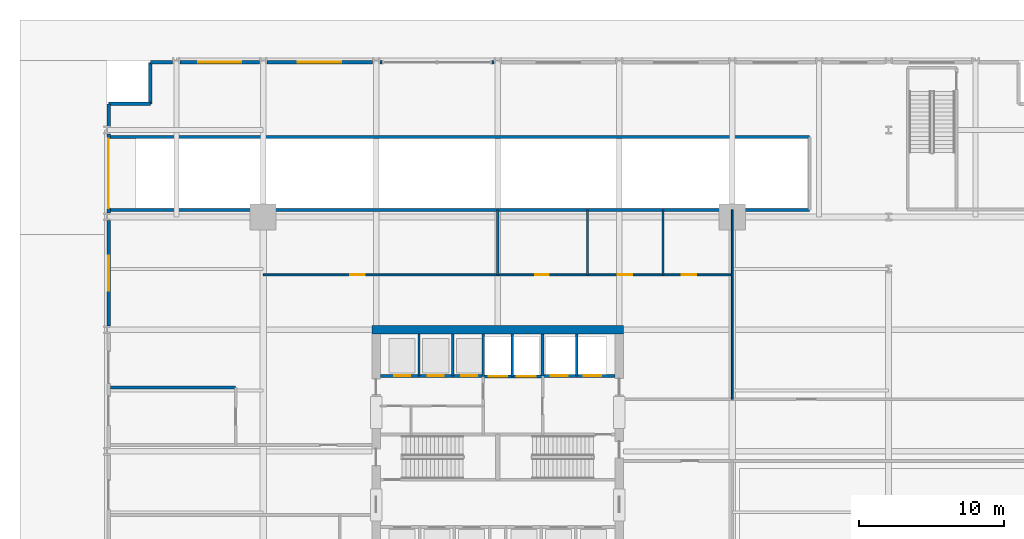
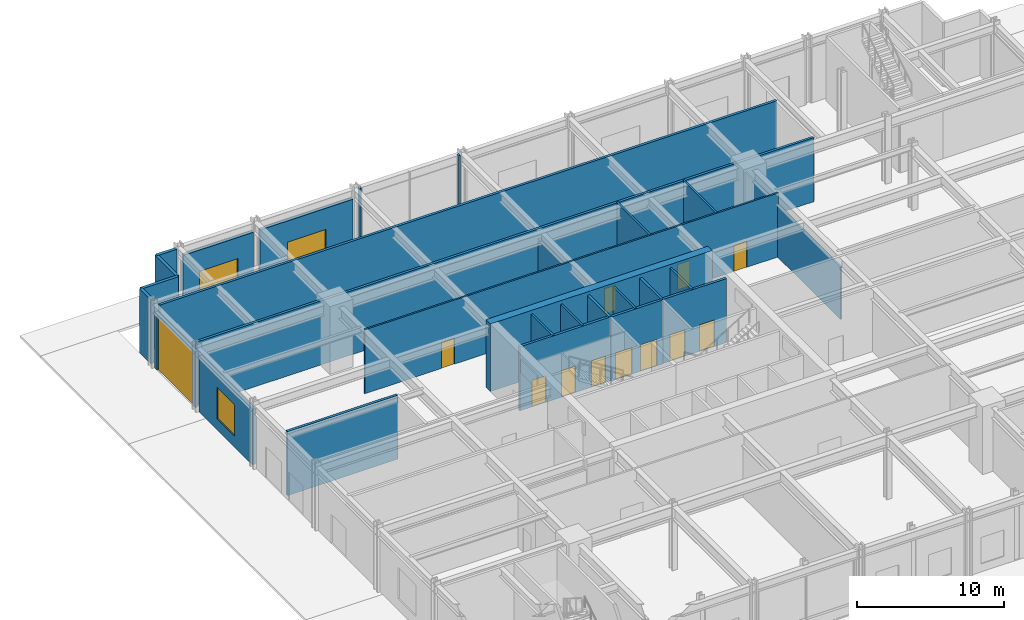
# One storey, part 13 of 21: 28 walls, 12 doors, 3 windows, 15 openings.
"""IFC4 building model written with IfcOpenShell, lengths in metres."""

from ifc_helpers import new_model, si_unit, direction, frame, frame_2d, origin, place, context, subcontext, project, spatial, rectangle, extrude, material, layer, layer_set, type_object, element, fill, save


model = new_model("IFC4")

# Units and contexts
model_context = context("Model", 3, precision=1e-05, world=origin(), true_north=direction((0.0, 1.0)))
body_context = subcontext(model_context, "Body", "Model", "MODEL_VIEW")
ifc_project = project(units=[si_unit("LENGTHUNIT", "METRE"), si_unit("AREAUNIT", "SQUARE_METRE"), si_unit("VOLUMEUNIT", "CUBIC_METRE"), si_unit("PLANEANGLEUNIT", "RADIAN"), si_unit("MASSUNIT", "GRAM", prefix="KILO")], contexts=[model_context])

# Site, building, storey
site_placement = place(None, origin())
site = spatial("IfcSite", under=ifc_project, at=site_placement, CompositionType="ELEMENT")
building_placement = place(site_placement, origin())
building = spatial("IfcBuilding", under=site, at=building_placement, Name="Drelvath Grand Hotel", CompositionType="ELEMENT")
storey_placement = place(building_placement, origin())
storey = spatial("IfcBuildingStorey", under=building, at=storey_placement, Name="L00", CompositionType="ELEMENT", Elevation=0.0)

# Wall, openings, doors
ifc_material_1 = material(Name="Concrete C40/50", Category="concrete")
ifc_layer_1 = layer(ifc_material_1, 0.199951171875)
ifc_layer_set_1 = layer_set([ifc_layer_1], Name="Concrete C40/50")
wall_type_1 = type_object("IfcWallType", Name="Core Hoistway Fire Wall 200", PredefinedType="SOLIDWALL", material=ifc_layer_set_1)
wall_1_placement = place(storey_placement, frame((3.10009765625, 32.219970703125, 0.0), z_axis=(0.0, 0.0, 1.0), x_axis=(1.0, 0.0, 0.0)))
wall_1 = element("IfcWall", 1, at=wall_1_placement, inside=storey, type_object=wall_type_1, Name="L00 FSAE Hoistway Front Wall", PredefinedType="SOLIDWALL", context=body_context, shape_type="SweptSolid", body=[
    extrude(rectangle(XDim=5.0, YDim=0.199951171875, at=frame_2d((2.5, 0.0))), origin(), (0.0, 0.0, 1.0), 5.300048828125),
])
opening_1_placement = place(wall_1_placement, frame((0.550048828125, 0.0, 0.0)))
opening_1 = element("IfcOpeningElement", 2, at=opening_1_placement, cuts=wall_1, Name="Opening LD-FSAE-1", PredefinedType="OPENING", context=body_context, shape_type="SweptSolid", body=[
    extrude(rectangle(XDim=1.199951171875, YDim=2.199951171875, at=frame_2d((0.60009765625, 1.10009765625))), frame((0.0, 0.10986328125, 0.0), z_axis=(0.0, -1.0, 0.0), x_axis=(1.0, 0.0, 0.0)), (0.0, 0.0, 1.0), 0.219970703125),
])
opening_2_placement = place(wall_1_placement, frame((2.85009765625, 0.0, 0.0)))
opening_2 = element("IfcOpeningElement", 3, at=opening_2_placement, cuts=wall_1, Name="Opening LD-FSAE-2", PredefinedType="OPENING", context=body_context, shape_type="SweptSolid", body=[
    extrude(rectangle(XDim=1.199951171875, YDim=2.199951171875, at=frame_2d((0.60009765625, 1.10009765625))), frame((0.0, 0.10986328125, 0.0), z_axis=(0.0, -1.0, 0.0), x_axis=(1.0, 0.0, 0.0)), (0.0, 0.0, 1.0), 0.219970703125),
])
ifc_material_2 = material(Name="Stainless Steel S355", Category="steel")
door_type_1 = type_object("IfcDoorType", Name="FSAE Lift Sliding Landing Door 1200x2200", OperationType="NOTDEFINED", PredefinedType="DOOR", material=ifc_material_2)
door_1_placement = place(opening_1_placement, origin())
door_1 = element("IfcDoor", 4, at=door_1_placement, inside=storey, type_object=door_type_1, Name="L00 Lift FSAE-1 Landing Door", OperationType="SLIDING_TO_LEFT", OverallHeight=2.199951171875, OverallWidth=1.199951171875, PredefinedType="DOOR", context=body_context, shape_type="SweptSolid", body=[
    extrude(rectangle(XDim=1.199951171875, YDim=2.199951171875, at=frame_2d((0.60009765625, 1.10009765625))), frame((0.0, 0.02490234375, 0.0), z_axis=(0.0, -1.0, 0.0), x_axis=(1.0, 0.0, 0.0)), (0.0, 0.0, 1.0), 0.050048828125),
])
fill(opening_1, door_1)
door_2_placement = place(opening_2_placement, origin())
door_2 = element("IfcDoor", 5, at=door_2_placement, inside=storey, type_object=door_type_1, Name="L00 Lift FSAE-2 Landing Door", OperationType="SLIDING_TO_LEFT", OverallHeight=2.199951171875, OverallWidth=1.199951171875, PredefinedType="DOOR", context=body_context, shape_type="SweptSolid", body=[
    extrude(rectangle(XDim=1.199951171875, YDim=2.199951171875, at=frame_2d((0.60009765625, 1.10009765625))), frame((0.0, 0.02490234375, 0.0), z_axis=(0.0, -1.0, 0.0), x_axis=(1.0, 0.0, 0.0)), (0.0, 0.0, 1.0), 0.050048828125),
])
fill(opening_2, door_2)

# Wall
wall_2_placement = place(storey_placement, frame((3.10009765625, 32.219970703125, 0.0), z_axis=(0.0, 0.0, 1.0), x_axis=(0.0, 1.0, 0.0)))
element("IfcWall", 6, at=wall_2_placement, inside=storey, type_object=wall_type_1, Name="L00 FSAE Hoistway West Wall", PredefinedType="SOLIDWALL", context=body_context, shape_type="SweptSolid", body=[
    extrude(rectangle(XDim=2.880126953125, YDim=0.199951171875, at=frame_2d((1.43994140625, 0.0))), origin(), (0.0, 0.0, 1.0), 5.300048828125),
])

# Wall, openings, doors
wall_3_placement = place(storey_placement, frame((-1.0, 32.179931640625, 0.0), z_axis=(0.0, 0.0, 1.0), x_axis=(1.0, 0.0, 0.0)))
wall_3 = element("IfcWall", 7, at=wall_3_placement, inside=storey, type_object=wall_type_1, Name="L00 Service Lift Hoistway Wall", PredefinedType="SOLIDWALL", context=body_context, shape_type="SweptSolid", body=[
    extrude(rectangle(XDim=4.10009765625, YDim=0.199951171875, at=frame_2d((2.050048828125, 0.0))), origin(), (0.0, 0.0, 1.0), 5.300048828125),
])
opening_3_placement = place(wall_3_placement, frame((0.3701171875, 0.0, 0.0)))
opening_3 = element("IfcOpeningElement", 8, at=opening_3_placement, cuts=wall_3, Name="Opening LD-SV-2", PredefinedType="OPENING", context=body_context, shape_type="SweptSolid", body=[
    extrude(rectangle(XDim=1.300048828125, YDim=2.199951171875, at=frame_2d((0.64990234375, 1.10009765625))), frame((0.0, 0.10986328125, 0.0), z_axis=(0.0, -1.0, 0.0), x_axis=(1.0, 0.0, 0.0)), (0.0, 0.0, 1.0), 0.219970703125),
])
opening_4_placement = place(wall_3_placement, frame((2.330078125, 0.0, 0.0)))
opening_4 = element("IfcOpeningElement", 9, at=opening_4_placement, cuts=wall_3, Name="Opening LD-SV-1", PredefinedType="OPENING", context=body_context, shape_type="SweptSolid", body=[
    extrude(rectangle(XDim=1.300048828125, YDim=2.199951171875, at=frame_2d((0.64990234375, 1.10009765625))), frame((0.0, 0.10986328125, 0.0), z_axis=(0.0, -1.0, 0.0), x_axis=(1.0, 0.0, 0.0)), (0.0, 0.0, 1.0), 0.219970703125),
])
door_type_2 = type_object("IfcDoorType", Name="Service Lift Sliding Landing Door 1300x2200", OperationType="NOTDEFINED", PredefinedType="DOOR", material=ifc_material_2)
door_3_placement = place(opening_3_placement, origin())
door_3 = element("IfcDoor", 10, at=door_3_placement, inside=storey, type_object=door_type_2, Name="L00 Lift SV-2 Landing Door", OperationType="SLIDING_TO_LEFT", OverallHeight=2.199951171875, OverallWidth=1.300048828125, PredefinedType="DOOR", context=body_context, shape_type="SweptSolid", body=[
    extrude(rectangle(XDim=1.300048828125, YDim=2.199951171875, at=frame_2d((0.64990234375, 1.10009765625))), frame((0.0, 0.02490234375, 0.0), z_axis=(0.0, -1.0, 0.0), x_axis=(1.0, 0.0, 0.0)), (0.0, 0.0, 1.0), 0.050048828125),
])
fill(opening_3, door_3)
door_4_placement = place(opening_4_placement, origin())
door_4 = element("IfcDoor", 11, at=door_4_placement, inside=storey, type_object=door_type_2, Name="L00 Lift SV-1 Landing Door", OperationType="SLIDING_TO_LEFT", OverallHeight=2.199951171875, OverallWidth=1.300048828125, PredefinedType="DOOR", context=body_context, shape_type="SweptSolid", body=[
    extrude(rectangle(XDim=1.300048828125, YDim=2.199951171875, at=frame_2d((0.64990234375, 1.10009765625))), frame((0.0, 0.02490234375, 0.0), z_axis=(0.0, -1.0, 0.0), x_axis=(1.0, 0.0, 0.0)), (0.0, 0.0, 1.0), 0.050048828125),
])
fill(opening_4, door_4)

# Wall
wall_4_placement = place(storey_placement, frame((-1.0, 32.179931640625, 0.0), z_axis=(0.0, 0.0, 1.0), x_axis=(0.0, 1.0, 0.0)))
element("IfcWall", 12, at=wall_4_placement, inside=storey, type_object=wall_type_1, Name="L00 Service Lift West Wall", PredefinedType="SOLIDWALL", context=body_context, shape_type="SweptSolid", body=[
    extrude(rectangle(XDim=2.920166015625, YDim=0.199951171875, at=frame_2d((1.4599609375, 0.0))), origin(), (0.0, 0.0, 1.0), 5.300048828125),
])

# Wall, openings, doors
wall_5_placement = place(storey_placement, frame((-8.10009765625, 32.219970703125, 0.0), z_axis=(0.0, 0.0, 1.0), x_axis=(1.0, 0.0, 0.0)))
wall_5 = element("IfcWall", 13, at=wall_5_placement, inside=storey, type_object=wall_type_1, Name="L00 Bank 3 Hoistway Wall", PredefinedType="SOLIDWALL", context=body_context, shape_type="SweptSolid", body=[
    extrude(rectangle(XDim=7.10009765625, YDim=0.199951171875, at=frame_2d((3.550048828125, 0.0))), origin(), (0.0, 0.0, 1.0), 5.300048828125),
])
opening_5_placement = place(wall_5_placement, frame((0.949951171875, 0.0, 0.0)))
opening_5 = element("IfcOpeningElement", 14, at=opening_5_placement, cuts=wall_5, Name="Opening LD-PE-7", PredefinedType="OPENING", context=body_context, shape_type="SweptSolid", body=[
    extrude(rectangle(XDim=1.10009765625, YDim=2.199951171875, at=frame_2d((0.550048828125, 1.10009765625))), frame((0.0, 0.10986328125, 0.0), z_axis=(0.0, -1.0, 0.0), x_axis=(1.0, 0.0, 0.0)), (0.0, 0.0, 1.0), 0.219970703125),
])
opening_6_placement = place(wall_5_placement, frame((3.27001953125, 0.0, 0.0)))
opening_6 = element("IfcOpeningElement", 15, at=opening_6_placement, cuts=wall_5, Name="Opening LD-PE-8", PredefinedType="OPENING", context=body_context, shape_type="SweptSolid", body=[
    extrude(rectangle(XDim=1.10009765625, YDim=2.199951171875, at=frame_2d((0.550048828125, 1.10009765625))), frame((0.0, 0.10986328125, 0.0), z_axis=(0.0, -1.0, 0.0), x_axis=(1.0, 0.0, 0.0)), (0.0, 0.0, 1.0), 0.219970703125),
])
opening_7_placement = place(wall_5_placement, frame((5.590087890625, 0.0, 0.0)))
opening_7 = element("IfcOpeningElement", 16, at=opening_7_placement, cuts=wall_5, Name="Opening LD-PE-9", PredefinedType="OPENING", context=body_context, shape_type="SweptSolid", body=[
    extrude(rectangle(XDim=1.10009765625, YDim=2.199951171875, at=frame_2d((0.550048828125, 1.10009765625))), frame((0.0, 0.10986328125, 0.0), z_axis=(0.0, -1.0, 0.0), x_axis=(1.0, 0.0, 0.0)), (0.0, 0.0, 1.0), 0.219970703125),
])
door_type_3 = type_object("IfcDoorType", Name="Passenger Lift Sliding Landing Door 1100x2200", OperationType="NOTDEFINED", PredefinedType="DOOR", material=ifc_material_2)
door_5_placement = place(opening_5_placement, origin())
door_5 = element("IfcDoor", 17, at=door_5_placement, inside=storey, type_object=door_type_3, Name="L00 Lift PE-7 Landing Door", OperationType="SLIDING_TO_LEFT", OverallHeight=2.199951171875, OverallWidth=1.10009765625, PredefinedType="DOOR", context=body_context, shape_type="SweptSolid", body=[
    extrude(rectangle(XDim=1.10009765625, YDim=2.199951171875, at=frame_2d((0.550048828125, 1.10009765625))), frame((0.0, 0.02490234375, 0.0), z_axis=(0.0, -1.0, 0.0), x_axis=(1.0, 0.0, 0.0)), (0.0, 0.0, 1.0), 0.050048828125),
])
fill(opening_5, door_5)
door_6_placement = place(opening_6_placement, origin())
door_6 = element("IfcDoor", 18, at=door_6_placement, inside=storey, type_object=door_type_3, Name="L00 Lift PE-8 Landing Door", OperationType="SLIDING_TO_LEFT", OverallHeight=2.199951171875, OverallWidth=1.10009765625, PredefinedType="DOOR", context=body_context, shape_type="SweptSolid", body=[
    extrude(rectangle(XDim=1.10009765625, YDim=2.199951171875, at=frame_2d((0.550048828125, 1.10009765625))), frame((0.0, 0.02490234375, 0.0), z_axis=(0.0, -1.0, 0.0), x_axis=(1.0, 0.0, 0.0)), (0.0, 0.0, 1.0), 0.050048828125),
])
fill(opening_6, door_6)
door_7_placement = place(opening_7_placement, origin())
door_7 = element("IfcDoor", 19, at=door_7_placement, inside=storey, type_object=door_type_3, Name="L00 Lift PE-9 Landing Door", OperationType="SLIDING_TO_LEFT", OverallHeight=2.199951171875, OverallWidth=1.10009765625, PredefinedType="DOOR", context=body_context, shape_type="SweptSolid", body=[
    extrude(rectangle(XDim=1.10009765625, YDim=2.199951171875, at=frame_2d((0.550048828125, 1.10009765625))), frame((0.0, 0.02490234375, 0.0), z_axis=(0.0, -1.0, 0.0), x_axis=(1.0, 0.0, 0.0)), (0.0, 0.0, 1.0), 0.050048828125),
])
fill(opening_7, door_7)

# Walls
ifc_layer_2 = layer(ifc_material_1, 0.199951171875)
ifc_layer_set_2 = layer_set([ifc_layer_2], Name="Concrete C40/50")
wall_type_2 = type_object("IfcWallType", Name="Core Shaft Fire Wall 200", PredefinedType="SOLIDWALL", material=ifc_layer_set_2)
for number, where, z_axis, x_axis, name in (
    (20, (-26.760009765625, 43.679931640625, 0.0), (0.0, 0.0, 1.0), (1.0, 0.0, 0.0), "L00 L00 Ramp R1 South Fire Wall"),
    (21, (-26.760009765625, 48.719970703125, 0.0), (0.0, 0.0, 1.0), (1.0, 0.0, 0.0), "L00 L00 Ramp R1 North Fire Wall"),
):
    element("IfcWall", number, at=place(storey_placement, frame(where, z_axis=z_axis, x_axis=x_axis)), inside=storey, type_object=wall_type_2, Name=name, PredefinedType="SOLIDWALL", context=body_context, shape_type="SweptSolid", body=[
        extrude(rectangle(XDim=48.31005859375, YDim=0.199951171875, at=frame_2d((24.155029296875, 0.0))), origin(), (0.0, 0.0, 1.0), 5.300048828125),
    ])
wall_6_placement = place(storey_placement, frame((-26.760009765625, 31.419921875, 0.0), z_axis=(0.0, 0.0, 1.0), x_axis=(1.0, 0.0, 0.0)))
element("IfcWall", 22, at=wall_6_placement, inside=storey, type_object=wall_type_2, Name="L00 Fire Command Center North Wall", PredefinedType="SOLIDWALL", context=body_context, shape_type="SweptSolid", body=[
    extrude(rectangle(XDim=8.659912109375, YDim=0.199951171875, at=frame_2d((4.330078125, 0.0))), origin(), (0.0, 0.0, 1.0), 5.300048828125),
])
ifc_material_3 = material(Name="Gypsum Fireboard Partition")
ifc_layer_3 = layer(ifc_material_3, 0.1650390625)
ifc_layer_set_3 = layer_set([ifc_layer_3], Name="Gypsum Fireboard Partition")
wall_type_3 = type_object("IfcWallType", Name="Core Shaft Partition 165", PredefinedType="PARTITIONING", material=ifc_layer_set_3)
wall_7_placement = place(storey_placement, frame((5.449951171875, 32.219970703125, 0.0), z_axis=(0.0, 0.0, 1.0), x_axis=(0.0, 1.0, 0.0)))
element("IfcWall", 23, at=wall_7_placement, inside=storey, type_object=wall_type_3, Name="L00 FSAE Hoistway Divider", PredefinedType="PARTITIONING", context=body_context, shape_type="SweptSolid", body=[
    extrude(rectangle(XDim=2.880126953125, YDim=0.1650390625, at=frame_2d((1.43994140625, 0.0))), origin(), (0.0, 0.0, 1.0), 5.300048828125),
])
wall_8_placement = place(storey_placement, frame((1.0, 32.179931640625, 0.0), z_axis=(0.0, 0.0, 1.0), x_axis=(0.0, 1.0, 0.0)))
element("IfcWall", 24, at=wall_8_placement, inside=storey, type_object=wall_type_3, Name="L00 Service Lift Divider", PredefinedType="PARTITIONING", context=body_context, shape_type="SweptSolid", body=[
    extrude(rectangle(XDim=2.920166015625, YDim=0.1650390625, at=frame_2d((1.4599609375, 0.0))), origin(), (0.0, 0.0, 1.0), 5.300048828125),
])
for number, where, z_axis, x_axis, name in (
    (25, (-5.43994140625, 32.219970703125, 0.0), (0.0, 0.0, 1.0), (0.0, 1.0, 0.0), "L00 Lift PE-7/8 Divider"),
    (26, (-3.1201171875, 32.219970703125, 0.0), (0.0, 0.0, 1.0), (0.0, 1.0, 0.0), "L00 Lift PE-8/9 Divider"),
):
    element("IfcWall", number, at=place(storey_placement, frame(where, z_axis=z_axis, x_axis=x_axis)), inside=storey, type_object=wall_type_3, Name=name, PredefinedType="PARTITIONING", context=body_context, shape_type="SweptSolid", body=[
        extrude(rectangle(XDim=2.880126953125, YDim=0.1650390625, at=frame_2d((1.43994140625, 0.0))), origin(), (0.0, 0.0, 1.0), 5.300048828125),
    ])

# Wall, openings, doors
ifc_layer_4 = layer(ifc_material_3, 0.135009765625)
ifc_layer_set_4 = layer_set([ifc_layer_4], Name="Gypsum Fireboard Partition")
wall_type_4 = type_object("IfcWallType", Name="Corridor Fire Barrier Wall 135", PredefinedType="PARTITIONING", material=ifc_layer_set_4)
wall_9_placement = place(storey_placement, frame((-16.199951171875, 39.199951171875, 0.0), z_axis=(0.0, 0.0, 1.0), x_axis=(1.0, 0.0, 0.0)))
wall_9 = element("IfcWall", 27, at=wall_9_placement, inside=storey, type_object=wall_type_4, Name="L00 North Galleria Corridor Wall", PredefinedType="PARTITIONING", context=body_context, shape_type="SweptSolid", body=[
    extrude(rectangle(XDim=32.39990234375, YDim=0.135009765625, at=frame_2d((16.199951171875, 0.0))), origin(), (0.0, 0.0, 1.0), 5.300048828125),
])
opening_8_placement = place(wall_9_placement, frame((6.0, 0.0, 0.0)))
opening_8 = element("IfcOpeningElement", 28, at=opening_8_placement, cuts=wall_9, Name="Opening D-L00-038", PredefinedType="OPENING", context=body_context, shape_type="SweptSolid", body=[
    extrude(rectangle(XDim=1.02001953125, YDim=2.14990234375, at=frame_2d((0.510009765625, 1.074951171875))), frame((0.0, 0.077392578125, 0.0), z_axis=(0.0, -1.0, 0.0), x_axis=(1.0, 0.0, 0.0)), (0.0, 0.0, 1.0), 0.155029296875),
])
opening_9_placement = place(wall_9_placement, frame((18.800048828125, 0.0, 0.0)))
opening_9 = element("IfcOpeningElement", 29, at=opening_9_placement, cuts=wall_9, Name="Opening D-L00-039", PredefinedType="OPENING", context=body_context, shape_type="SweptSolid", body=[
    extrude(rectangle(XDim=0.919921875, YDim=2.10009765625, at=frame_2d((0.4599609375, 1.050048828125))), frame((0.0, 0.077392578125, 0.0), z_axis=(0.0, -1.0, 0.0), x_axis=(1.0, 0.0, 0.0)), (0.0, 0.0, 1.0), 0.155029296875),
])
opening_10_placement = place(wall_9_placement, frame((24.5, 0.0, 0.0)))
opening_10 = element("IfcOpeningElement", 30, at=opening_10_placement, cuts=wall_9, Name="Opening D-L00-040", PredefinedType="OPENING", context=body_context, shape_type="SweptSolid", body=[
    extrude(rectangle(XDim=0.97998046875, YDim=2.10009765625, at=frame_2d((0.489990234375, 1.050048828125))), frame((0.0, 0.077392578125, 0.0), z_axis=(0.0, -1.0, 0.0), x_axis=(1.0, 0.0, 0.0)), (0.0, 0.0, 1.0), 0.155029296875),
])
opening_11_placement = place(wall_9_placement, frame((28.89990234375, 0.0, 0.0)))
opening_11 = element("IfcOpeningElement", 31, at=opening_11_placement, cuts=wall_9, Name="Opening D-L00-041", PredefinedType="OPENING", context=body_context, shape_type="SweptSolid", body=[
    extrude(rectangle(XDim=1.02001953125, YDim=2.14990234375, at=frame_2d((0.510009765625, 1.074951171875))), frame((0.0, 0.077392578125, 0.0), z_axis=(0.0, -1.0, 0.0), x_axis=(1.0, 0.0, 0.0)), (0.0, 0.0, 1.0), 0.155029296875),
])
ifc_material_4 = material(Name="Hardwood Walnut Timber", Category="wood")
door_type_4 = type_object("IfcDoorType", Name="Accessible WC Door 980x2100", OperationType="NOTDEFINED", PredefinedType="DOOR", material=ifc_material_4)
door_8_placement = place(opening_10_placement, origin())
door_8 = element("IfcDoor", 32, at=door_8_placement, inside=storey, type_object=door_type_4, Name="L00 L00 Accessible WC Door", OperationType="SINGLE_SWING_LEFT", OverallHeight=2.10009765625, OverallWidth=0.97998046875, PredefinedType="DOOR", context=body_context, shape_type="SweptSolid", body=[
    extrude(rectangle(XDim=0.97998046875, YDim=2.10009765625, at=frame_2d((0.489990234375, 1.050048828125))), frame((0.0, 0.02490234375, 0.0), z_axis=(0.0, -1.0, 0.0), x_axis=(1.0, 0.0, 0.0)), (0.0, 0.0, 1.0), 0.050048828125),
])
fill(opening_10, door_8)
door_type_5 = type_object("IfcDoorType", Name="Amenity Meeting Fire Door 1020x2150", OperationType="NOTDEFINED", PredefinedType="DOOR", material=ifc_material_4)
door_9_placement = place(opening_8_placement, origin())
door_9 = element("IfcDoor", 33, at=door_9_placement, inside=storey, type_object=door_type_5, Name="L00 Front Office Door", OperationType="SINGLE_SWING_LEFT", OverallHeight=2.14990234375, OverallWidth=1.02001953125, PredefinedType="DOOR", context=body_context, shape_type="SweptSolid", body=[
    extrude(rectangle(XDim=1.02001953125, YDim=2.14990234375, at=frame_2d((0.510009765625, 1.074951171875))), frame((0.0, 0.02490234375, 0.0), z_axis=(0.0, -1.0, 0.0), x_axis=(1.0, 0.0, 0.0)), (0.0, 0.0, 1.0), 0.050048828125),
])
fill(opening_8, door_9)
door_10_placement = place(opening_11_placement, origin())
door_10 = element("IfcDoor", 34, at=door_10_placement, inside=storey, type_object=door_type_5, Name="L00 Coatroom Door", OperationType="SINGLE_SWING_RIGHT", OverallHeight=2.14990234375, OverallWidth=1.02001953125, PredefinedType="DOOR", context=body_context, shape_type="SweptSolid", body=[
    extrude(rectangle(XDim=1.02001953125, YDim=2.14990234375, at=frame_2d((0.510009765625, 1.074951171875))), frame((0.0, 0.02490234375, 0.0), z_axis=(0.0, -1.0, 0.0), x_axis=(1.0, 0.0, 0.0)), (0.0, 0.0, 1.0), 0.050048828125),
])
fill(opening_11, door_10)
ifc_material_5 = material(Name="Painted Steel S275", Category="steel")
door_type_6 = type_object("IfcDoorType", Name="Staff Utility Door 920x2100", OperationType="NOTDEFINED", PredefinedType="DOOR", material=ifc_material_5)
door_11_placement = place(opening_9_placement, origin())
door_11 = element("IfcDoor", 35, at=door_11_placement, inside=storey, type_object=door_type_6, Name="L00 L00 Public WC Door", OperationType="SINGLE_SWING_RIGHT", OverallHeight=2.10009765625, OverallWidth=0.919921875, PredefinedType="DOOR", context=body_context, shape_type="SweptSolid", body=[
    extrude(rectangle(XDim=0.919921875, YDim=2.10009765625, at=frame_2d((0.4599609375, 1.050048828125))), frame((0.0, 0.02490234375, 0.0), z_axis=(0.0, -1.0, 0.0), x_axis=(1.0, 0.0, 0.0)), (0.0, 0.0, 1.0), 0.050048828125),
])
fill(opening_9, door_11)

# Walls
wall_10_placement = place(storey_placement, frame((16.199951171875, 30.60009765625, 0.0), z_axis=(0.0, 0.0, 1.0), x_axis=(0.0, 1.0, 0.0)))
element("IfcWall", 36, at=wall_10_placement, inside=storey, type_object=wall_type_4, Name="L00 NE Lounge West Wall", PredefinedType="PARTITIONING", context=body_context, shape_type="SweptSolid", body=[
    extrude(rectangle(XDim=13.079833984375, YDim=0.135009765625, at=frame_2d((6.5400390625, 0.0))), origin(), (0.0, 0.0, 1.0), 4.3369140625),
])
ifc_material_6 = material(Name="Moisture-Resistant Gypsum Board")
ifc_layer_5 = layer(ifc_material_6, 0.139892578125)
ifc_layer_set_5 = layer_set([ifc_layer_5], Name="Moisture-Resistant Gypsum Board")
wall_type_5 = type_object("IfcWallType", Name="En-Suite Plumbing Wall 140", PredefinedType="PLUMBINGWALL", material=ifc_layer_set_5)
wall_11_placement = place(storey_placement, frame((0.0, 39.199951171875, 0.0), z_axis=(0.0, 0.0, 1.0), x_axis=(0.0, 1.0, 0.0)))
element("IfcWall", 37, at=wall_11_placement, inside=storey, type_object=wall_type_5, Name="L00 L00 WC West Wall", PredefinedType="PLUMBINGWALL", context=body_context, shape_type="SweptSolid", body=[
    extrude(rectangle(XDim=4.47998046875, YDim=0.139892578125, at=frame_2d((2.239990234375, 0.0))), origin(), (0.0, 0.0, 1.0), 4.51171875),
])
for number, where, z_axis, x_axis, name in (
    (38, (6.199951171875, 39.199951171875, 0.0), (0.0, 0.0, 1.0), (0.0, 1.0, 0.0), "L00 L00 WC Split Wall"),
    (39, (11.39990234375, 39.199951171875, 0.0), (0.0, 0.0, 1.0), (0.0, 1.0, 0.0), "L00 L00 Accessible WC East Wall"),
):
    element("IfcWall", number, at=place(storey_placement, frame(where, z_axis=z_axis, x_axis=x_axis)), inside=storey, type_object=wall_type_5, Name=name, PredefinedType="PLUMBINGWALL", context=body_context, shape_type="SweptSolid", body=[
        extrude(rectangle(XDim=4.47998046875, YDim=0.139892578125, at=frame_2d((2.239990234375, 0.0))), origin(), (0.0, 0.0, 1.0), 5.300048828125),
    ])
ifc_material_7 = material(Name="Concrete f'c 70 MPa", Category="concrete")
ifc_layer_6 = layer(ifc_material_7, 0.60009765625)
ifc_layer_set_6 = layer_set([ifc_layer_6], Name="Concrete f'c 70 MPa")
wall_type_6 = type_object("IfcWallType", Name="Lower Core RC Shear Wall 600", PredefinedType="SHEAR", material=ifc_layer_set_6)
wall_12_placement = place(storey_placement, frame((-8.699951171875, 35.39990234375, 0.0), z_axis=(0.0, 0.0, 1.0), x_axis=(1.0, 0.0, 0.0)))
element("IfcWall", 40, at=wall_12_placement, inside=storey, type_object=wall_type_6, Name="L00 Central Core Shear Wall N", PredefinedType="SHEAR", context=body_context, shape_type="SweptSolid", body=[
    extrude(rectangle(XDim=17.39990234375, YDim=0.60009765625, at=frame_2d((8.699951171875, 0.0))), origin(), (0.0, 0.0, 1.0), 5.60009765625),
])

# Wall, opening, window
ifc_material_8 = material(Name="Insulated Granite Rainscreen Assembly", Category="masonry")
ifc_layer_7 = layer(ifc_material_8, 0.239990234375)
ifc_layer_set_7 = layer_set([ifc_layer_7], Name="Insulated Granite Rainscreen Assembly")
wall_type_7 = type_object("IfcWallType", Name="Podium Granite Rainscreen Exterior Wall 240", PredefinedType="STANDARD", material=ifc_layer_set_7)
wall_13_placement = place(storey_placement, frame((-26.8798828125, 35.65771484375, 0.0), z_axis=(0.0, 0.0, 1.0), x_axis=(0.0, 1.0, 0.0)))
wall_13 = element("IfcWall", 41, at=wall_13_placement, inside=storey, type_object=wall_type_7, Name="L00 West Podium Granite Wall 6", PredefinedType="STANDARD", context=body_context, shape_type="SweptSolid", body=[
    extrude(rectangle(XDim=7.28466796875, YDim=0.239990234375, at=frame_2d((3.642333984375, 0.0))), origin(), (0.0, 0.0, 1.0), 4.6044921875),
])
opening_12_placement = place(wall_13_placement, frame((2.4423828125, 0.0, 0.89990234375)))
opening_12 = element("IfcOpeningElement", 42, at=opening_12_placement, cuts=wall_13, Name="Opening W-01", PredefinedType="OPENING", context=body_context, shape_type="SweptSolid", body=[
    extrude(rectangle(XDim=2.39990234375, YDim=2.60009765625, at=frame_2d((1.199951171875, 1.300048828125))), frame((0.0, 0.1298828125, 0.0), z_axis=(0.0, -1.0, 0.0), x_axis=(1.0, 0.0, 0.0)), (0.0, 0.0, 1.0), 0.260009765625),
])
ifc_material_9 = material(Name="Bronze Anodised Low-E Triple Glazing", Category="glass")
window_type_1 = type_object("IfcWindowType", Name="Chicago Triple-Pane Podium Window 2400x2600", PartitioningType="TRIPLE_PANEL_VERTICAL", PredefinedType="WINDOW", material=ifc_material_9)
window_1_placement = place(opening_12_placement, origin())
window_1 = element("IfcWindow", 43, at=window_1_placement, inside=storey, type_object=window_type_1, Name="L00 West Chicago Window 6", OverallHeight=2.60009765625, OverallWidth=2.39990234375, PartitioningType="SINGLE_PANEL", PredefinedType="WINDOW", context=body_context, shape_type="SweptSolid", body=[
    extrude(rectangle(XDim=2.39990234375, YDim=2.60009765625, at=frame_2d((1.199951171875, 1.300048828125))), frame((0.0, 0.030029296875, 0.0), z_axis=(0.0, -1.0, 0.0), x_axis=(1.0, 0.0, 0.0)), (0.0, 0.0, 1.0), 0.06005859375),
])
fill(opening_12, window_1)

# Wall, opening, door
wall_14_placement = place(storey_placement, frame((-26.8798828125, 43.457763671875, 0.0), z_axis=(0.0, 0.0, 1.0), x_axis=(0.0, 1.0, 0.0)))
wall_14 = element("IfcWall", 44, at=wall_14_placement, inside=storey, type_object=wall_type_7, Name="L00 West Podium Granite Wall 7", PredefinedType="STANDARD", context=body_context, shape_type="SweptSolid", body=[
    extrude(rectangle(XDim=5.484619140625, YDim=0.239990234375, at=frame_2d((2.7421875, 0.0))), origin(), (0.0, 0.0, 1.0), 4.6044921875),
])
opening_13_placement = place(wall_14_placement, frame((0.34228515625, 0.0, 0.0)))
opening_13 = element("IfcOpeningElement", 45, at=opening_13_placement, cuts=wall_14, Name="Opening VG-01", PredefinedType="OPENING", context=body_context, shape_type="SweptSolid", body=[
    extrude(rectangle(XDim=4.800048828125, YDim=4.5, at=frame_2d((2.39990234375, 2.25))), frame((0.0, 0.1298828125, 0.0), z_axis=(0.0, -1.0, 0.0), x_axis=(1.0, 0.0, 0.0)), (0.0, 0.0, 1.0), 0.260009765625),
])
ifc_material_10 = material(Name="Galvanised Insulated Steel Grade S355", Category="steel")
door_type_7 = type_object("IfcDoorType", Name="Insulated Rolling Service Vehicle Gate 4800x4500", OperationType="ROLLINGUP", PredefinedType="GATE", material=ifc_material_10)
door_12_placement = place(opening_13_placement, origin())
door_12 = element("IfcDoor", 46, at=door_12_placement, inside=storey, type_object=door_type_7, Name="L00 Service Ramp Rolling Vehicle Gate VG-01", OperationType="ROLLINGUP", OverallHeight=4.5, OverallWidth=4.800048828125, PredefinedType="GATE", context=body_context, shape_type="SweptSolid", body=[
    extrude(rectangle(XDim=4.800048828125, YDim=4.5, at=frame_2d((2.39990234375, 2.25))), frame((0.0, 0.02490234375, 0.0), z_axis=(0.0, -1.0, 0.0), x_axis=(1.0, 0.0, 0.0)), (0.0, 0.0, 1.0), 0.050048828125),
])
fill(opening_13, door_12)

# Walls
for number, where, z_axis, x_axis, name in (
    (47, (-26.8798828125, 49.457763671875, 0.0), (0.0, 0.0, 1.0), (0.0, 1.0, 0.0), "L00 West Podium Granite Wall 8"),
    (48, (-24.0, 53.8798828125, 0.0), (0.0, 0.0, 1.0), (1.0, 0.0, 0.0), "L00 North Podium Granite Wall 1"),
):
    element("IfcWall", number, at=place(storey_placement, frame(where, z_axis=z_axis, x_axis=x_axis)), inside=storey, type_object=wall_type_7, Name=name, PredefinedType="STANDARD", context=body_context, shape_type="SweptSolid", body=[
        extrude(rectangle(XDim=1.542236328125, YDim=0.239990234375, at=frame_2d((0.77099609375, 0.0))), origin(), (0.0, 0.0, 1.0), 5.300048828125),
    ])

# Wall, opening, window
wall_15_placement = place(storey_placement, frame((-21.9423828125, 53.8798828125, 0.0), z_axis=(0.0, 0.0, 1.0), x_axis=(1.0, 0.0, 0.0)))
wall_15 = element("IfcWall", 49, at=wall_15_placement, inside=storey, type_object=wall_type_7, Name="L00 North Podium Granite Wall 2", PredefinedType="STANDARD", context=body_context, shape_type="SweptSolid", body=[
    extrude(rectangle(XDim=5.484619140625, YDim=0.239990234375, at=frame_2d((2.7421875, 0.0))), origin(), (0.0, 0.0, 1.0), 4.6044921875),
])
opening_14_placement = place(wall_15_placement, frame((1.2421875, 0.0, 0.64990234375)))
opening_14 = element("IfcOpeningElement", 50, at=opening_14_placement, cuts=wall_15, Name="Opening W-03", PredefinedType="OPENING", context=body_context, shape_type="SweptSolid", body=[
    extrude(rectangle(XDim=3.0, YDim=2.199951171875, at=frame_2d((1.5, 1.10009765625))), frame((0.0, 0.1298828125, 0.0), z_axis=(0.0, -1.0, 0.0), x_axis=(1.0, 0.0, 0.0)), (0.0, 0.0, 1.0), 0.260009765625),
])
window_type_2 = type_object("IfcWindowType", Name="Podium Clerestory Ribbon Window 3000x2200", PartitioningType="TRIPLE_PANEL_VERTICAL", PredefinedType="WINDOW", material=ifc_material_9)
window_2_placement = place(opening_14_placement, origin())
window_2 = element("IfcWindow", 51, at=window_2_placement, inside=storey, type_object=window_type_2, Name="L00 North Chicago Window 2", OverallHeight=2.199951171875, OverallWidth=3.0, PartitioningType="SINGLE_PANEL", PredefinedType="WINDOW", context=body_context, shape_type="SweptSolid", body=[
    extrude(rectangle(XDim=3.0, YDim=2.199951171875, at=frame_2d((1.5, 1.10009765625))), frame((0.0, 0.030029296875, 0.0), z_axis=(0.0, -1.0, 0.0), x_axis=(1.0, 0.0, 0.0)), (0.0, 0.0, 1.0), 0.06005859375),
])
fill(opening_14, window_2)

wall_16_placement = place(storey_placement, frame((-15.9423828125, 53.8798828125, 0.0), z_axis=(0.0, 0.0, 1.0), x_axis=(1.0, 0.0, 0.0)))
wall_16 = element("IfcWall", 52, at=wall_16_placement, inside=storey, type_object=wall_type_7, Name="L00 North Podium Granite Wall 3", PredefinedType="STANDARD", context=body_context, shape_type="SweptSolid", body=[
    extrude(rectangle(XDim=7.28466796875, YDim=0.239990234375, at=frame_2d((3.642333984375, 0.0))), origin(), (0.0, 0.0, 1.0), 4.6044921875),
])
opening_15_placement = place(wall_16_placement, frame((2.142333984375, 0.0, 0.64990234375)))
opening_15 = element("IfcOpeningElement", 53, at=opening_15_placement, cuts=wall_16, Name="Opening W-03", PredefinedType="OPENING", context=body_context, shape_type="SweptSolid", body=[
    extrude(rectangle(XDim=3.0, YDim=2.199951171875, at=frame_2d((1.5, 1.10009765625))), frame((0.0, 0.1298828125, 0.0), z_axis=(0.0, -1.0, 0.0), x_axis=(1.0, 0.0, 0.0)), (0.0, 0.0, 1.0), 0.260009765625),
])
window_3_placement = place(opening_15_placement, origin())
window_3 = element("IfcWindow", 54, at=window_3_placement, inside=storey, type_object=window_type_2, Name="L00 North Chicago Window 3", OverallHeight=2.199951171875, OverallWidth=3.0, PartitioningType="SINGLE_PANEL", PredefinedType="WINDOW", context=body_context, shape_type="SweptSolid", body=[
    extrude(rectangle(XDim=3.0, YDim=2.199951171875, at=frame_2d((1.5, 1.10009765625))), frame((0.0, 0.030029296875, 0.0), z_axis=(0.0, -1.0, 0.0), x_axis=(1.0, 0.0, 0.0)), (0.0, 0.0, 1.0), 0.06005859375),
])
fill(opening_15, window_3)

# Walls
wall_17_placement = place(storey_placement, frame((-8.142333984375, 53.8798828125, 0.0), z_axis=(0.0, 0.0, 1.0), x_axis=(1.0, 0.0, 0.0)))
element("IfcWall", 55, at=wall_17_placement, inside=storey, type_object=wall_type_7, Name="L00 North Podium Granite Wall 4", PredefinedType="STANDARD", context=body_context, shape_type="SweptSolid", body=[
    extrude(rectangle(XDim=0.142333984375, YDim=0.239990234375, at=frame_2d((0.0712890625, 0.0))), origin(), (0.0, 0.0, 1.0), 5.300048828125),
])
wall_18_placement = place(storey_placement, frame((-0.39990234375, 53.8798828125, 0.0), z_axis=(0.0, 0.0, 1.0), x_axis=(1.0, 0.0, 0.0)))
element("IfcWall", 56, at=wall_18_placement, inside=storey, type_object=wall_type_7, Name="L00 North Podium Granite Wall 5", PredefinedType="STANDARD", context=body_context, shape_type="SweptSolid", body=[
    extrude(rectangle(XDim=0.14208984375, YDim=0.239990234375, at=frame_2d((0.071044921875, 0.0))), origin(), (0.0, 0.0, 1.0), 5.300048828125),
])
for number, where, z_axis, x_axis, name in (
    (57, (-26.8798828125, 51.0, 0.0), (0.0, 0.0, 1.0), (1.0, 0.0, 0.0), "L00 Podium Corner Return Wall CNW1"),
    (58, (-24.0, 51.0, 0.0), (0.0, 0.0, 1.0), (0.0, 1.0, 0.0), "L00 Podium Corner Return Wall CNW2"),
):
    element("IfcWall", number, at=place(storey_placement, frame(where, z_axis=z_axis, x_axis=x_axis)), inside=storey, type_object=wall_type_7, Name=name, PredefinedType="STANDARD", context=body_context, shape_type="SweptSolid", body=[
        extrude(rectangle(XDim=2.8798828125, YDim=0.239990234375, at=frame_2d((1.43994140625, 0.0))), origin(), (0.0, 0.0, 1.0), 5.300048828125),
    ])

save(model, "model.ifc")
